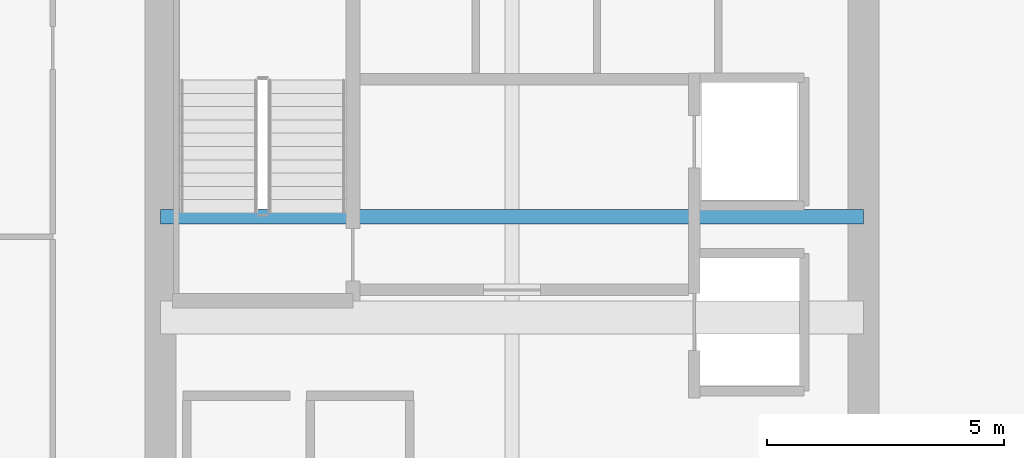
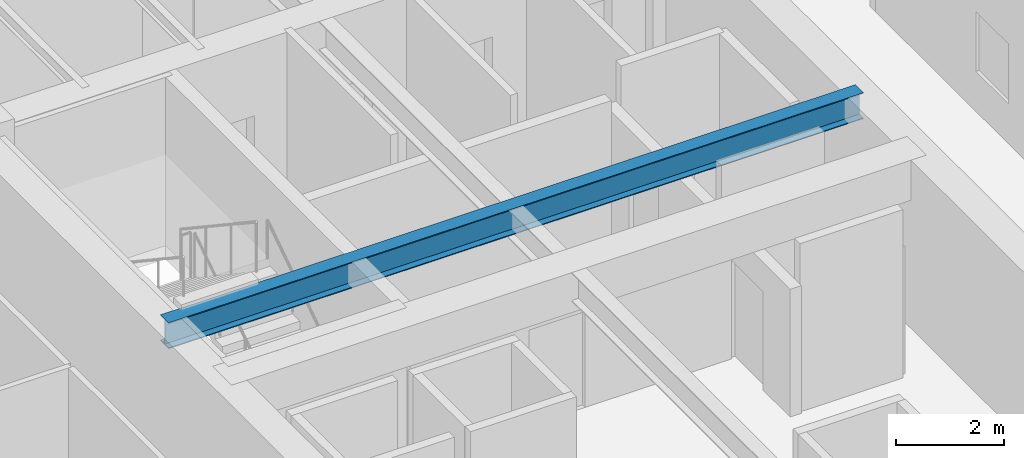
# One storey, part 9 of 30: 1 beam.
"""IFC4 building model written with IfcOpenShell, lengths in metres."""

from ifc_helpers import new_model, si_unit, direction, frame, origin, origin_2d, place, context, subcontext, project, spatial, i_section, extrude, source, transform, mapped, material, material_profile, profile_set, type_object, type_shapes, element, save


model = new_model("IFC4")

# Units and contexts
model_context = context("Model", 3, precision=1e-05, world=origin(), true_north=direction((0.0, 1.0)))
body_context = subcontext(model_context, "Body", "Model", "MODEL_VIEW")
ifc_project = project(units=[si_unit("LENGTHUNIT", "METRE"), si_unit("AREAUNIT", "SQUARE_METRE"), si_unit("VOLUMEUNIT", "CUBIC_METRE"), si_unit("PLANEANGLEUNIT", "RADIAN"), si_unit("MASSUNIT", "GRAM", prefix="KILO")], contexts=[model_context])

# Site, building, storey
site_placement = place(None, origin())
site = spatial("IfcSite", under=ifc_project, at=site_placement, CompositionType="ELEMENT")
building_placement = place(site_placement, origin())
building = spatial("IfcBuilding", under=site, at=building_placement, Name="Haelvirn Gate Laboratories", CompositionType="ELEMENT")
storey_placement = place(building_placement, frame((0.0, 0.0, 105.10009765625)))
storey = spatial("IfcBuildingStorey", under=building, at=storey_placement, Name="L25", CompositionType="ELEMENT", Elevation=105.10009765625)

# Beam
ifc_material = material(Name="Steel SM355", Category="steel")
ifc_material_profile = material_profile(ifc_material, i_section(OverallWidth=0.300048828125, OverallDepth=0.587890625, WebThickness=0.011962890625, FlangeThickness=0.02001953125, at=origin_2d()), Name="H-588x300x12x20")
ifc_profile_set = profile_set([ifc_material_profile], Name="Steel SM355")
beam_type = type_object("IfcBeamType", Name="BM-G-588", PredefinedType="BEAM", material=ifc_profile_set)
shared_shape = source(origin(), body_context, "Body", "SweptSolid", [
    extrude(i_section(OverallWidth=0.300048828125, OverallDepth=0.587890625, WebThickness=0.011962890625, FlangeThickness=0.02001953125, at=origin_2d()), origin(), (0.0, 0.0, 1.0), 14.800048828125),
])
type_shapes(beam_type, [shared_shape])
beam_placement = place(storey_placement, frame((7.39990234375, 26.6201171875, 3.495849609375), z_axis=(1.0, 0.0, 0.0), x_axis=(0.0, 1.0, 0.0)))
element("IfcBeam", 1, at=beam_placement, inside=storey, type_object=beam_type, Name="L25 Stair ST1 Landing Header", PredefinedType="BEAM", context=body_context, shape_type="MappedRepresentation", body=[
    mapped(shared_shape, transform((0.0, 0.0, 0.0), scale=1.0)),
])

save(model, "model.ifc")
